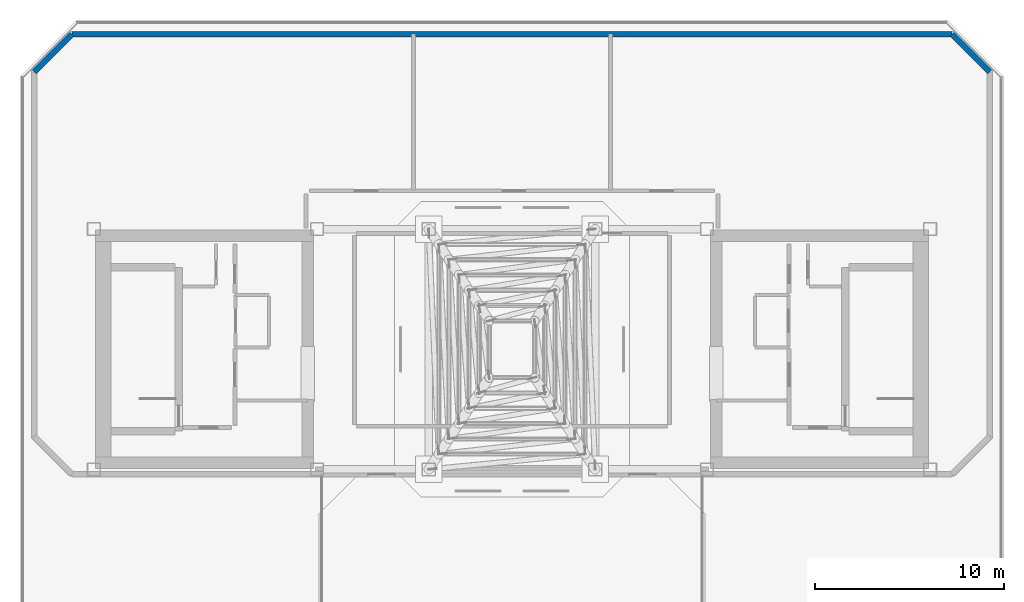
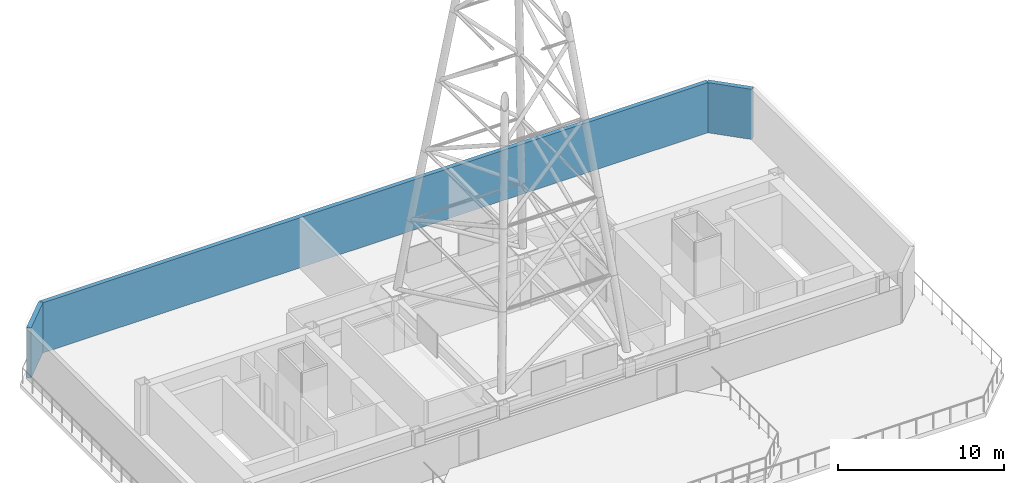
# One storey, part 4 of 7: 3 walls.
"""IFC4 building model written with IfcOpenShell, lengths in metres."""

from ifc_helpers import new_model, si_unit, direction, frame, frame_2d, origin, place, context, subcontext, project, spatial, rectangle, extrude, material, layer, layer_set, type_object, element, save


model = new_model("IFC4")

# Units and contexts
model_context = context("Model", 3, precision=1e-05, world=origin(), true_north=direction((0.0, 1.0)))
body_context = subcontext(model_context, "Body", "Model", "MODEL_VIEW")
ifc_project = project(units=[si_unit("LENGTHUNIT", "METRE"), si_unit("AREAUNIT", "SQUARE_METRE"), si_unit("VOLUMEUNIT", "CUBIC_METRE"), si_unit("PLANEANGLEUNIT", "RADIAN"), si_unit("MASSUNIT", "GRAM", prefix="KILO")], contexts=[model_context])

# Site, building, storey
site_placement = place(None, origin())
site = spatial("IfcSite", under=ifc_project, at=site_placement, CompositionType="ELEMENT")
building_placement = place(site_placement, origin())
building = spatial("IfcBuilding", under=site, at=building_placement, Name="Tavrogorsk Clinical Tower", CompositionType="ELEMENT")
storey_placement = place(building_placement, frame((0.0, 0.0, 357.0)))
storey = spatial("IfcBuildingStorey", under=building, at=storey_placement, Name="L83", CompositionType="ELEMENT", Elevation=357.0)

# Walls
ifc_material = material(Name="Precast concrete B45 with mineral wool", Category="concrete")
ifc_layer = layer(ifc_material, 0.300048828125)
ifc_layer_set = layer_set([ifc_layer], Name="Precast concrete B45 with mineral wool")
wall_type = type_object("IfcWallType", Name="SpandrelBackWall_300", PredefinedType="STANDARD", material=ifc_layer_set)
wall_1_placement = place(storey_placement, frame((25.25, 14.64990234375, 0.0), z_axis=(0.0, 0.0, 1.0), x_axis=(-0.707106781187, 0.707106781187, 0.0)))
element("IfcWall", 1, at=wall_1_placement, inside=storey, type_object=wall_type, Name="L83 Crown Control Pavilion Wall 4", PredefinedType="STANDARD", context=body_context, shape_type="SweptSolid", body=[
    extrude(rectangle(XDim=2.828369140625, YDim=0.300048828125, at=frame_2d((1.4140625, 0.0))), origin(), (0.0, 0.0, 1.0), 3.699951171875),
])
wall_2_placement = place(storey_placement, frame((23.25, 16.64990234375, 0.0), z_axis=(0.0, 0.0, 1.0), x_axis=(-1.0, 0.0, 0.0)))
element("IfcWall", 2, at=wall_2_placement, inside=storey, type_object=wall_type, Name="L83 Crown Control Pavilion Wall 5", PredefinedType="STANDARD", context=body_context, shape_type="SweptSolid", body=[
    extrude(rectangle(XDim=46.5, YDim=0.300048828125, at=frame_2d((23.25, 0.0))), origin(), (0.0, 0.0, 1.0), 3.699951171875),
])
wall_3_placement = place(storey_placement, frame((-23.25, 16.64990234375, 0.0), z_axis=(0.0, 0.0, 1.0), x_axis=(-0.707106781187, -0.707106781187, 0.0)))
element("IfcWall", 3, at=wall_3_placement, inside=storey, type_object=wall_type, Name="L83 Crown Control Pavilion Wall 6", PredefinedType="STANDARD", context=body_context, shape_type="SweptSolid", body=[
    extrude(rectangle(XDim=2.828369140625, YDim=0.300048828125, at=frame_2d((1.4140625, 0.0))), origin(), (0.0, 0.0, 1.0), 3.699951171875),
])

save(model, "model.ifc")
